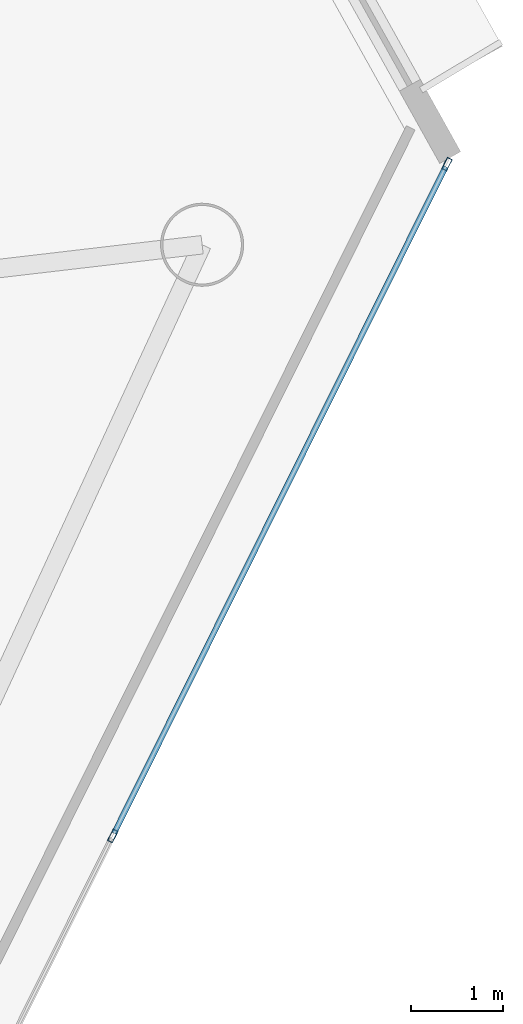
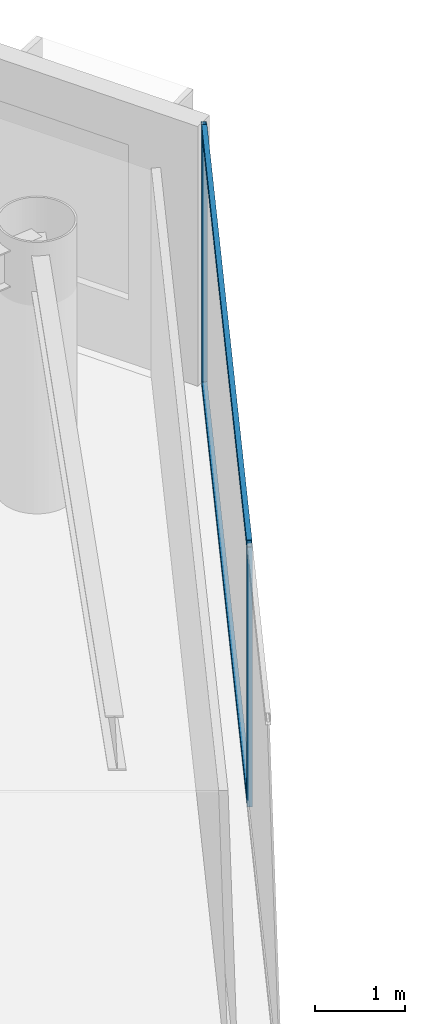
# One storey, part 15 of 23: 4 members, 1 element without a shape of its own.
"""IFC4 building model written with IfcOpenShell, lengths in metres."""

import ifcopenshell
import ifcopenshell.guid

model = None  # the IFC model being written
_history = None  # IfcOwnerHistory: only IFC2X3 demands one
_inside = {}  # id of a spatial element -> (the spatial element, [elements in it])
_under = {}  # id of a project, library or spatial element -> (it, [spatial elements below it])
_declared = {}  # id of a project -> (the project, [libraries it declares])
_typed = {}  # id of a type object -> (the type object, [elements of that type])
_made_of = {}  # id of a material, layer set ... -> (it, [elements and type objects made of it])


def new_model(schema):
    """Start an empty IFC model of exactly this schema.

    Asked for "IFC4X3", IfcOpenShell would pick the latest addendum, in which some entities
    have other attributes; the version numbers below select the first issue.
    IFC2X3 requires an IfcOwnerHistory on every rooted entity: one is made here for all.
    """
    global model, _history
    if schema == "IFC4X3":
        model = ifcopenshell.file(schema_version=(4, 3, 0, 0))
    else:
        model = ifcopenshell.file(schema=schema)
    _inside.clear()
    _under.clear()
    _declared.clear()
    _typed.clear()
    _made_of.clear()
    _history = None
    if model.schema == "IFC2X3":
        org = make("IfcOrganization", Name="unknown")
        user = make(
            "IfcPersonAndOrganization",
            ThePerson=make("IfcPerson", FamilyName="unknown"),
            TheOrganization=org,
        )
        app = make(
            "IfcApplication",
            ApplicationDeveloper=org,
            Version="unknown",
            ApplicationFullName="unknown",
            ApplicationIdentifier="unknown",
        )
        _history = make(
            "IfcOwnerHistory",
            OwningUser=user,
            OwningApplication=app,
            ChangeAction="ADDED",
            CreationDate=0,
        )
    return model


def make(cls, **values):
    """One entity of the class cls with the attributes given. An attribute that is None is left unset."""
    return model.create_entity(
        cls, **{name: value for name, value in values.items() if value is not None}
    )


def rooted(cls, **values):
    """An entity with a GlobalId (a new one), such as an element, a storey or a relation."""
    return make(cls, GlobalId=ifcopenshell.guid.new(), OwnerHistory=_history, **values)


def si_unit(unit_type, name, prefix=None):
    """IfcSIUnit, for example si_unit("LENGTHUNIT", "METRE", prefix="MILLI")."""
    return make("IfcSIUnit", UnitType=unit_type, Prefix=prefix, Name=name)


def assignment(units):
    """IfcUnitAssignment: the units of a project."""
    return None if units is None else make("IfcUnitAssignment", Units=units)


def point(xyz):
    """IfcCartesianPoint."""
    return None if xyz is None else make("IfcCartesianPoint", Coordinates=xyz)


def direction(xyz):
    """IfcDirection."""
    return None if xyz is None else make("IfcDirection", DirectionRatios=xyz)


def frame(location, z_axis=None, x_axis=None):
    """IfcAxis2Placement3D, a coordinate frame: its origin and axes. An axis left out is left unset."""
    return make(
        "IfcAxis2Placement3D",
        Location=point(location),
        Axis=direction(z_axis),
        RefDirection=direction(x_axis),
    )


def frame_2d(location, x_axis=None):
    """IfcAxis2Placement2D, a coordinate frame in the plane: its origin and x axis."""
    return make(
        "IfcAxis2Placement2D", Location=point(location), RefDirection=direction(x_axis)
    )


def origin():
    """The frame at (0, 0, 0) with its axes left unset."""
    return frame((0.0, 0.0, 0.0))


def origin_2d():
    """The frame at (0, 0) in the plane with its x axis left unset."""
    return frame_2d((0.0, 0.0))


def place(relative_to, where):
    """IfcLocalPlacement: puts the frame where relative to a parent placement (None: the world)."""
    return make(
        "IfcLocalPlacement", PlacementRelTo=relative_to, RelativePlacement=where
    )


def context(
    kind, dimensions, precision=None, world=None, true_north=None, identifier=None
):
    """IfcGeometricRepresentationContext, for example the 3D "Model" context."""
    return make(
        "IfcGeometricRepresentationContext",
        ContextIdentifier=identifier,
        ContextType=kind,
        CoordinateSpaceDimension=dimensions,
        Precision=precision,
        WorldCoordinateSystem=world,
        TrueNorth=true_north,
    )


def subcontext(parent, identifier, kind, view, scale=None):
    """IfcGeometricRepresentationSubContext, for example "Body" below "Model"."""
    return make(
        "IfcGeometricRepresentationSubContext",
        ContextIdentifier=identifier,
        ContextType=kind,
        ParentContext=parent,
        TargetScale=scale,
        TargetView=view,
    )


def project(units=None, contexts=None):
    """IfcProject with its units and contexts."""
    return rooted(
        "IfcProject",
        Name="project",
        RepresentationContexts=contexts,
        UnitsInContext=assignment(units),
    )


def spatial(cls, under=None, at=None, **own):
    """A site, building, storey or space (cls), placed at a placement, below another one or the project."""
    s = rooted(cls, ObjectPlacement=at, **own)
    if under is not None:
        _under.setdefault(under.id(), (under, []))[1].append(s)
    return s


def profile(cls, at=None, kind="AREA", **sizes):
    """A parametric profile (cls). Its sizes go by their IFC names, for example OverallWidth=200.0."""
    return make(cls, ProfileType=kind, Position=at, **sizes)


def hollow_rectangle(**sizes):
    """IfcRectangleHollowProfileDef."""
    return profile("IfcRectangleHollowProfileDef", **sizes)


def extrude(swept, where, along, depth):
    """IfcExtrudedAreaSolid: the profile swept, set in the frame where, extruded along a direction by depth."""
    return make(
        "IfcExtrudedAreaSolid",
        SweptArea=swept,
        Position=where,
        ExtrudedDirection=direction(along),
        Depth=depth,
    )


def shape(context_of_items, identifier, shape_type, items):
    """IfcShapeRepresentation: the items that make up one representation, for example the "Body"."""
    return make(
        "IfcShapeRepresentation",
        ContextOfItems=context_of_items,
        RepresentationIdentifier=identifier,
        RepresentationType=shape_type,
        Items=items,
    )


def material(Name=None, Category=None):
    """IfcMaterial."""
    return make("IfcMaterial", Name=Name, Category=Category)


def layer(
    of_material, thickness, ventilated=None, Name=None, Category=None, Priority=None
):
    """IfcMaterialLayer: one layer of a wall or slab, of a material (None: an air gap)."""
    return make(
        "IfcMaterialLayer",
        Material=of_material,
        LayerThickness=thickness,
        IsVentilated=ventilated,
        Name=Name,
        Category=Category,
        Priority=Priority,
    )


def layer_set(layers, Name=None):
    """IfcMaterialLayerSet."""
    return make("IfcMaterialLayerSet", MaterialLayers=layers, LayerSetName=Name)


def material_profile(
    of_material, cross_section, Name=None, Category=None, Priority=None
):
    """IfcMaterialProfile: a cross section and its material."""
    return make(
        "IfcMaterialProfile",
        Name=Name,
        Material=of_material,
        Profile=cross_section,
        Priority=Priority,
        Category=Category,
    )


def profile_set(profiles, Name=None, composite=None):
    """IfcMaterialProfileSet."""
    return make(
        "IfcMaterialProfileSet",
        Name=Name,
        MaterialProfiles=profiles,
        CompositeProfile=composite,
    )


def made_of(thing, what):
    """Note that an element or type object is made of a material, layer set ...; save() writes the relation."""
    if what is not None:
        _made_of.setdefault(what.id(), (what, []))[1].append(thing)
    return thing


def type_object(cls, material=None, **own):
    """A type object (cls), such as IfcWallType, which elements share."""
    return made_of(rooted(cls, **own), material)


def element(
    cls,
    number,
    at=None,
    inside=None,
    cuts=None,
    type_object=None,
    material=None,
    context=None,
    identifier="Body",
    shape_type=None,
    held_by="IfcProductDefinitionShape",
    body=None,
    shapes=None,
    **own,
):
    """One element of the class cls, such as IfcWall. Its Tag is "e" and its number.

    at: its placement. inside: the storey or other place that contains it. cuts: it is an
    opening in that element (IfcRelVoidsElement). A single representation is given by context,
    identifier, shape_type and body (its items); several are given by shapes. held_by: the class
    of the entity that holds the representations. save() writes the other relations.
    """
    e = rooted(cls, Tag="e%d" % number, ObjectPlacement=at, **own)
    if body is not None:
        shapes = [shape(context, identifier, shape_type, body)]
    if shapes is not None:
        e.Representation = make(held_by, Representations=shapes)
    if inside is not None:
        _inside.setdefault(inside.id(), (inside, []))[1].append(e)
    if cuts is not None:
        rooted(
            "IfcRelVoidsElement", RelatingBuildingElement=cuts, RelatedOpeningElement=e
        )
    if type_object is not None:
        _typed.setdefault(type_object.id(), (type_object, []))[1].append(e)
    return made_of(e, material)


def aggregate(whole, parts):
    """IfcRelAggregates: a whole, such as a stair, and the parts it consists of."""
    return rooted("IfcRelAggregates", RelatingObject=whole, RelatedObjects=parts)


def save(model, path):
    """Write the relations noted so far, then the file.

    IfcRelAggregates (storeys below a building ...), IfcRelContainedInSpatialStructure (elements
    in a storey), IfcRelDefinesByType, IfcRelAssociatesMaterial and IfcRelDeclares: one each for
    every whole, place, type object, material and project.
    """
    for whole, parts in _under.values():
        aggregate(whole, parts)
    for where, things in _inside.values():
        rooted(
            "IfcRelContainedInSpatialStructure",
            RelatedElements=things,
            RelatingStructure=where,
        )
    for kind, things in _typed.values():
        rooted("IfcRelDefinesByType", RelatedObjects=things, RelatingType=kind)
    for what, things in _made_of.values():
        rooted("IfcRelAssociatesMaterial", RelatedObjects=things, RelatingMaterial=what)
    for by, libraries in _declared.values():
        rooted("IfcRelDeclares", RelatingContext=by, RelatedDefinitions=libraries)
    model.write(path)


model = new_model("IFC4")

# Units and contexts
model_context = context("Model", 3, precision=1e-05, world=origin(), true_north=direction((0.0, 1.0)))
body_context = subcontext(model_context, "Body", "Model", "MODEL_VIEW")
ifc_project = project(units=[si_unit("LENGTHUNIT", "METRE"), si_unit("AREAUNIT", "SQUARE_METRE"), si_unit("VOLUMEUNIT", "CUBIC_METRE"), si_unit("PLANEANGLEUNIT", "RADIAN"), si_unit("MASSUNIT", "GRAM", prefix="KILO")], contexts=[model_context])

# Site, building, storey
site_placement = place(None, origin())
site = spatial("IfcSite", under=ifc_project, at=site_placement, CompositionType="ELEMENT")
building_placement = place(site_placement, origin())
building = spatial("IfcBuilding", under=site, at=building_placement, Name="Qianvela Tower", CompositionType="ELEMENT")
storey_placement = place(building_placement, frame((0.0, 0.0, 313.89990234375)))
storey = spatial("IfcBuildingStorey", under=building, at=storey_placement, Name="L81", CompositionType="ELEMENT", Elevation=313.89990234375)

# Curtain wall, members
ifc_material_1 = material(Name="Anodised Architectural Aluminium and Low-E Glass", Category="aluminium")
ifc_layer = layer(ifc_material_1, 0.14990234375)
ifc_layer_set = layer_set([ifc_layer], Name="Anodised Architectural Aluminium and Low-E Glass")
curtain_wall_type = type_object("IfcCurtainWallType", Name="CW-COLIV-Z78", PredefinedType="USERDEFINED", material=ifc_layer_set)
curtain_wall_placement = place(storey_placement, origin())
curtain_wall = element("IfcCurtainWall", 1, at=curtain_wall_placement, inside=storey, type_object=curtain_wall_type, Name="L81 CW-COLIV-Z78 Curtain Wall 06C", ObjectType="CURTAIN_WALL_SYSTEM", PredefinedType="USERDEFINED")
ifc_material_2 = material(Name="Anodised Architectural Aluminium 6063-T6", Category="aluminium")
ifc_material_profile_1 = material_profile(ifc_material_2, hollow_rectangle(XDim=0.06005859375, YDim=0.139892578125, WallThickness=0.00439453125, at=origin_2d()), Name="ALU-MULL-60x140")
ifc_profile_set_1 = profile_set([ifc_material_profile_1], Name="Anodised Architectural Aluminium 6063-T6")
member_type_1 = type_object("IfcMemberType", Name="CW-COLIV-Z78-MULL", PredefinedType="MULLION", material=ifc_profile_set_1)
member_1_placement = place(storey_placement, frame((51.681396484375, 30.7353515625, 0.0), z_axis=(0.0, 0.0, 1.0), x_axis=(-0.895347745462, 0.445367729743, 0.0)))
member_1 = element("IfcMember", 2, at=member_1_placement, type_object=member_type_1, Name="CW-6 mullion 2", PredefinedType="MULLION", context=body_context, shape_type="SweptSolid", body=[
    extrude(hollow_rectangle(XDim=0.06005859375, YDim=0.139892578125, WallThickness=0.00439453125, at=origin_2d()), origin(), (0.0, 0.0, 1.0), 3.52001953125),
])
member_2_placement = place(storey_placement, frame((55.298828125, 38.007568359375, 0.0), z_axis=(0.0, 0.0, 1.0), x_axis=(-0.895347745462, 0.445367729743, 0.0)))
member_2 = element("IfcMember", 3, at=member_2_placement, type_object=member_type_1, Name="CW-6 mullion 3", PredefinedType="MULLION", context=body_context, shape_type="SweptSolid", body=[
    extrude(hollow_rectangle(XDim=0.06005859375, YDim=0.139892578125, WallThickness=0.00439453125, at=origin_2d()), origin(), (0.0, 0.0, 1.0), 3.52001953125),
])
ifc_material_3 = material(Name="Anodised Architectural Aluminium 6063-T6", Category="aluminium")
ifc_material_profile_2 = material_profile(ifc_material_3, hollow_rectangle(XDim=0.06005859375, YDim=0.114990234375, WallThickness=0.00390625, at=origin_2d()), Name="ALU-TRAN-60x115")
ifc_profile_set_2 = profile_set([ifc_material_profile_2], Name="Anodised Architectural Aluminium 6063-T6")
member_type_2 = type_object("IfcMemberType", Name="CW-COLIV-Z78-TRAN", PredefinedType="USERDEFINED", material=ifc_profile_set_2)
member_3_placement = place(storey_placement, frame((51.69482421875, 30.76220703125, 0.030029296875), z_axis=(0.445359368799, 0.89535190435, 0.0), x_axis=(-0.89535190435, 0.445359368799, 0.0)))
member_3 = element("IfcMember", 4, at=member_3_placement, type_object=member_type_2, Name="CW-6 transom 2.1", ObjectType="TRANSOM", PredefinedType="USERDEFINED", context=body_context, shape_type="SweptSolid", body=[
    extrude(hollow_rectangle(XDim=0.06005859375, YDim=0.114990234375, WallThickness=0.00390625, at=origin_2d()), origin(), (0.0, 0.0, 1.0), 8.062255859375),
])
member_4_placement = place(storey_placement, frame((51.69482421875, 30.76220703125, 3.489990234375), z_axis=(0.445359368799, 0.89535190435, 0.0), x_axis=(-0.89535190435, 0.445359368799, 0.0)))
member_4 = element("IfcMember", 5, at=member_4_placement, type_object=member_type_2, Name="CW-6 transom 2.2", ObjectType="TRANSOM", PredefinedType="USERDEFINED", context=body_context, shape_type="SweptSolid", body=[
    extrude(hollow_rectangle(XDim=0.06005859375, YDim=0.114990234375, WallThickness=0.00390625, at=origin_2d()), origin(), (0.0, 0.0, 1.0), 8.062255859375),
])
aggregate(curtain_wall, [member_1, member_2, member_3, member_4])

save(model, "model.ifc")
